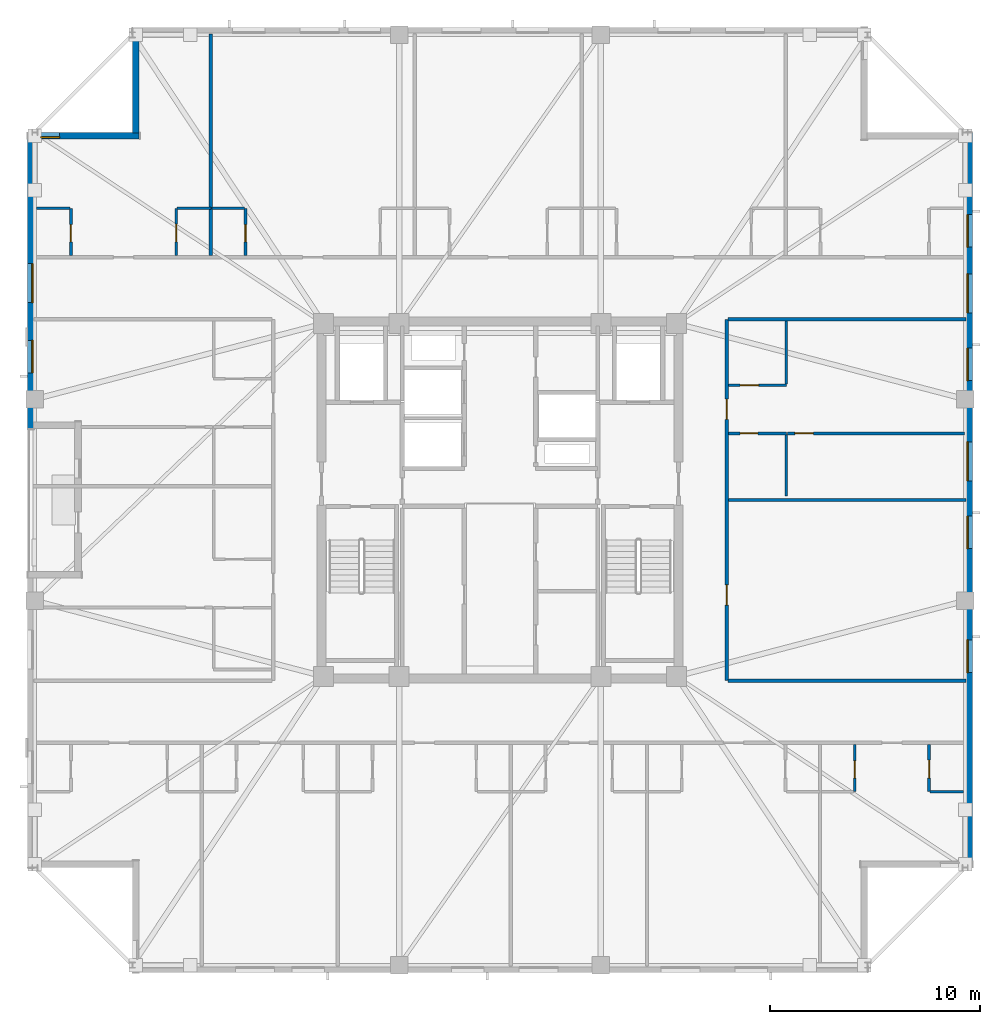
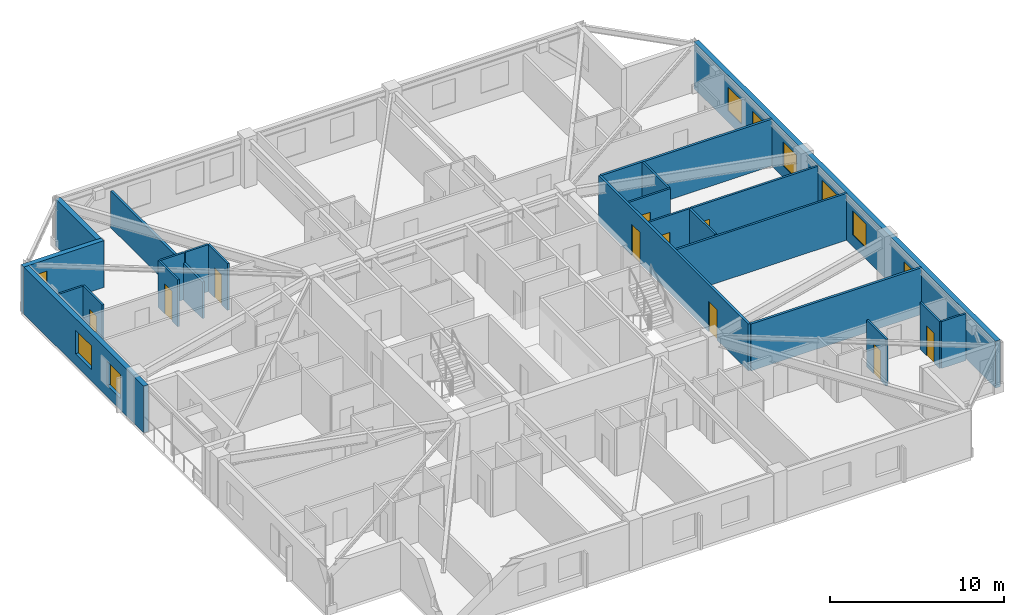
# One storey, part 10 of 17: 23 walls, 10 doors, 9 windows, 19 openings.
"""IFC4 building model written with IfcOpenShell, lengths in metres."""

from ifc_helpers import new_model, si_unit, direction, frame, frame_2d, origin, place, context, subcontext, project, spatial, rectangle, extrude, material, layer, layer_set, type_object, element, fill, save


model = new_model("IFC4")

# Units and contexts
model_context = context("Model", 3, precision=1e-05, world=origin(), true_north=direction((0.0, 1.0)))
body_context = subcontext(model_context, "Body", "Model", "MODEL_VIEW")
ifc_project = project(units=[si_unit("LENGTHUNIT", "METRE"), si_unit("AREAUNIT", "SQUARE_METRE"), si_unit("VOLUMEUNIT", "CUBIC_METRE"), si_unit("PLANEANGLEUNIT", "RADIAN"), si_unit("MASSUNIT", "GRAM", prefix="KILO")], contexts=[model_context])

# Site, building, storey
site_placement = place(None, origin())
site = spatial("IfcSite", under=ifc_project, at=site_placement, CompositionType="ELEMENT")
building_placement = place(site_placement, origin())
building = spatial("IfcBuilding", under=site, at=building_placement, Name="Cairnveth Concourse Tower", CompositionType="ELEMENT")
storey_placement = place(building_placement, frame((0.0, 0.0, 241.0)))
storey = spatial("IfcBuildingStorey", under=building, at=storey_placement, Name="L66", CompositionType="ELEMENT", Elevation=241.0)

# Wall, openings, doors
ifc_material_1 = material(Name="Gypsum Plasterboard Partition", Category="gypsum")
ifc_layer_1 = layer(ifc_material_1, 0.159912109375)
ifc_layer_set_1 = layer_set([ifc_layer_1], Name="Gypsum Plasterboard Partition")
wall_type_1 = type_object("IfcWallType", Name="ACOUSTIC PARTY WALL 180", PredefinedType="PARTITIONING", material=ifc_layer_set_1)
wall_1_placement = place(storey_placement, frame((62.800048828125, 30.39990234375, 0.0), z_axis=(0.0, 0.0, 1.0), x_axis=(0.0, 1.0, 0.0)))
wall_1 = element("IfcWall", 1, at=wall_1_placement, inside=storey, type_object=wall_type_1, Name="Interior Wall IW-L66-037", PredefinedType="PARTITIONING", context=body_context, shape_type="SweptSolid", body=[
    extrude(rectangle(XDim=17.2001953125, YDim=0.159912109375, at=frame_2d((8.60009765625, 0.0))), origin(), (0.0, 0.0, 1.0), 3.2900390625),
])
opening_1_placement = place(wall_1_placement, frame((3.60009765625, 0.0, 0.0)))
opening_1 = element("IfcOpeningElement", 2, at=opening_1_placement, cuts=wall_1, Name="Opening ID11", PredefinedType="OPENING", context=body_context, shape_type="SweptSolid", body=[
    extrude(rectangle(XDim=0.9599609375, YDim=2.1201171875, at=frame_2d((0.47998046875, 1.06005859375))), frame((0.0, 0.08984375, 0.0), z_axis=(0.0, -1.0, 0.0), x_axis=(1.0, 0.0, 0.0)), (0.0, 0.0, 1.0), 0.179931640625),
])
opening_2_placement = place(wall_1_placement, frame((12.43994140625, 0.0, 0.0)))
opening_2 = element("IfcOpeningElement", 3, at=opening_2_placement, cuts=wall_1, Name="Opening ID10", PredefinedType="OPENING", context=body_context, shape_type="SweptSolid", body=[
    extrude(rectangle(XDim=0.9599609375, YDim=2.179931640625, at=frame_2d((0.47998046875, 1.08984375))), frame((0.0, 0.08984375, 0.0), z_axis=(0.0, -1.0, 0.0), x_axis=(1.0, 0.0, 0.0)), (0.0, 0.0, 1.0), 0.179931640625),
])
ifc_material_2 = material(Name="Solid Core Hardwood Timber Leaf", Category="wood")
door_type_1 = type_object("IfcDoorType", Name="FLAT ENTRANCE DOOR 960X2150", OperationType="NOTDEFINED", PredefinedType="DOOR", material=ifc_material_2)
door_1_placement = place(opening_2_placement, origin())
door_1 = element("IfcDoor", 4, at=door_1_placement, inside=storey, type_object=door_type_1, Name="Apartment L66E1 Entrance Door", OperationType="SINGLE_SWING_RIGHT", OverallHeight=2.179931640625, OverallWidth=0.9599609375, PredefinedType="DOOR", context=body_context, shape_type="SweptSolid", body=[
    extrude(rectangle(XDim=0.9599609375, YDim=2.179931640625, at=frame_2d((0.47998046875, 1.08984375))), frame((0.0, 0.02490234375, 0.0), z_axis=(0.0, -1.0, 0.0), x_axis=(1.0, 0.0, 0.0)), (0.0, 0.0, 1.0), 0.050048828125),
])
fill(opening_2, door_1)
door_type_2 = type_object("IfcDoorType", Name="INTERIOR SINGLE DOOR 960X2150", OperationType="NOTDEFINED", PredefinedType="DOOR", material=ifc_material_2)
door_2_placement = place(opening_1_placement, origin())
door_2 = element("IfcDoor", 5, at=door_2_placement, inside=storey, type_object=door_type_2, Name="Interior Door DR-L66-056", OperationType="SINGLE_SWING_RIGHT", OverallHeight=2.1201171875, OverallWidth=0.9599609375, PredefinedType="DOOR", context=body_context, shape_type="SweptSolid", body=[
    extrude(rectangle(XDim=0.9599609375, YDim=2.1201171875, at=frame_2d((0.47998046875, 1.06005859375))), frame((0.0, 0.02490234375, 0.0), z_axis=(0.0, -1.0, 0.0), x_axis=(1.0, 0.0, 0.0)), (0.0, 0.0, 1.0), 0.050048828125),
])
fill(opening_1, door_2)

# Walls
for number, where, z_axis, x_axis, name in (
    (6, (62.864990234375, 30.39990234375, 0.0), (0.0, 0.0, 1.0), (1.0, 0.0, 0.0), "Interior Wall IW-L66-040"),
    (7, (62.864990234375, 47.60009765625, 0.0), (0.0, 0.0, 1.0), (1.0, 0.0, 0.0), "Interior Wall IW-L66-041"),
):
    element("IfcWall", number, at=place(storey_placement, frame(where, z_axis=z_axis, x_axis=x_axis)), inside=storey, type_object=wall_type_1, Name=name, PredefinedType="PARTITIONING", context=body_context, shape_type="SweptSolid", body=[
        extrude(rectangle(XDim=11.330078125, YDim=0.159912109375, at=frame_2d((5.6650390625, 0.0))), origin(), (0.0, 0.0, 1.0), 3.2900390625),
    ])
wall_2_placement = place(storey_placement, frame((38.23193359375, 50.637451171875, 0.0), z_axis=(0.0, 0.0, 1.0), x_axis=(0.0, 1.0, 0.0)))
element("IfcWall", 8, at=wall_2_placement, inside=storey, type_object=wall_type_1, Name="Interior Wall IW-L66-075", PredefinedType="PARTITIONING", context=body_context, shape_type="SweptSolid", body=[
    extrude(rectangle(XDim=10.5576171875, YDim=0.159912109375, at=frame_2d((5.27880859375, 0.0))), origin(), (0.0, 0.0, 1.0), 2.572998046875),
])
ifc_layer_2 = layer(ifc_material_1, 0.139892578125)
ifc_layer_set_2 = layer_set([ifc_layer_2], Name="Gypsum Plasterboard Partition")
wall_type_2 = type_object("IfcWallType", Name="GYPSUM STUD PARTITION 140", PredefinedType="PARTITIONING", material=ifc_layer_set_2)
wall_3_placement = place(storey_placement, frame((62.8798828125, 39.0, 0.0), z_axis=(0.0, 0.0, 1.0), x_axis=(1.0, 0.0, 0.0)))
element("IfcWall", 9, at=wall_3_placement, inside=storey, type_object=wall_type_2, Name="Interior Wall IW-L66-107", PredefinedType="PARTITIONING", context=body_context, shape_type="SweptSolid", body=[
    extrude(rectangle(XDim=11.315185546875, YDim=0.139892578125, at=frame_2d((5.65771484375, 0.0))), origin(), (0.0, 0.0, 1.0), 3.2900390625),
])

# Wall, opening, door
wall_4_placement = place(storey_placement, frame((65.679931640625, 42.169921875, 0.0), z_axis=(0.0, 0.0, 1.0), x_axis=(1.0, 0.0, 0.0)))
wall_4 = element("IfcWall", 10, at=wall_4_placement, inside=storey, type_object=wall_type_2, Name="Interior Wall IW-L66-112", PredefinedType="PARTITIONING", context=body_context, shape_type="SweptSolid", body=[
    extrude(rectangle(XDim=8.440185546875, YDim=0.139892578125, at=frame_2d((4.22021484375, 0.0))), origin(), (0.0, 0.0, 1.0), 3.2900390625),
])
opening_3_placement = place(wall_4_placement, frame((0.360107421875, 0.0, 0.0)))
opening_3 = element("IfcOpeningElement", 11, at=opening_3_placement, cuts=wall_4, Name="Opening ID18", PredefinedType="OPENING", context=body_context, shape_type="SweptSolid", body=[
    extrude(rectangle(XDim=0.8798828125, YDim=2.10009765625, at=frame_2d((0.43994140625, 1.050048828125))), frame((0.0, 0.079833984375, 0.0), z_axis=(0.0, -1.0, 0.0), x_axis=(1.0, 0.0, 0.0)), (0.0, 0.0, 1.0), 0.159912109375),
])
door_type_3 = type_object("IfcDoorType", Name="INTERIOR SINGLE DOOR 880X2100", OperationType="NOTDEFINED", PredefinedType="DOOR", material=ifc_material_2)
door_3_placement = place(opening_3_placement, origin())
door_3 = element("IfcDoor", 12, at=door_3_placement, inside=storey, type_object=door_type_3, Name="L66E1 Master Bedroom Door", OperationType="SINGLE_SWING_LEFT", OverallHeight=2.10009765625, OverallWidth=0.8798828125, PredefinedType="DOOR", context=body_context, shape_type="SweptSolid", body=[
    extrude(rectangle(XDim=0.8798828125, YDim=2.10009765625, at=frame_2d((0.43994140625, 1.050048828125))), frame((0.0, 0.02490234375, 0.0), z_axis=(0.0, -1.0, 0.0), x_axis=(1.0, 0.0, 0.0)), (0.0, 0.0, 1.0), 0.050048828125),
])
fill(opening_3, door_3)

ifc_layer_3 = layer(ifc_material_1, 0.1298828125)
ifc_layer_set_3 = layer_set([ifc_layer_3], Name="Gypsum Plasterboard Partition")
wall_type_3 = type_object("IfcWallType", Name="WET AREA PARTITION 140", PredefinedType="PLUMBINGWALL", material=ifc_layer_set_3)
wall_5_placement = place(storey_placement, frame((68.889892578125, 25.112548828125, 0.0), z_axis=(0.0, 0.0, 1.0), x_axis=(0.0, 1.0, 0.0)))
wall_5 = element("IfcWall", 13, at=wall_5_placement, inside=storey, type_object=wall_type_3, Name="Interior Wall IW-L66-067", PredefinedType="PLUMBINGWALL", context=body_context, shape_type="SweptSolid", body=[
    extrude(rectangle(XDim=2.25, YDim=0.1298828125, at=frame_2d((1.125, 0.0))), origin(), (0.0, 0.0, 1.0), 3.2900390625),
])
opening_4_placement = place(wall_5_placement, frame((0.64990234375, 0.0, 0.0)))
opening_4 = element("IfcOpeningElement", 14, at=opening_4_placement, cuts=wall_5, Name="Opening ID22", PredefinedType="OPENING", context=body_context, shape_type="SweptSolid", body=[
    extrude(rectangle(XDim=0.820068359375, YDim=2.10009765625, at=frame_2d((0.41015625, 1.050048828125))), frame((0.0, 0.074951171875, 0.0), z_axis=(0.0, -1.0, 0.0), x_axis=(1.0, 0.0, 0.0)), (0.0, 0.0, 1.0), 0.14990234375),
])
door_type_4 = type_object("IfcDoorType", Name="INTERIOR WC DOOR 820X2100", OperationType="NOTDEFINED", PredefinedType="DOOR", material=ifc_material_2)
door_4_placement = place(opening_4_placement, origin())
door_4 = element("IfcDoor", 15, at=door_4_placement, inside=storey, type_object=door_type_4, Name="L66STS6 Bathroom Door", OperationType="SINGLE_SWING_RIGHT", OverallHeight=2.10009765625, OverallWidth=0.820068359375, PredefinedType="DOOR", context=body_context, shape_type="SweptSolid", body=[
    extrude(rectangle(XDim=0.820068359375, YDim=2.10009765625, at=frame_2d((0.41015625, 1.050048828125))), frame((0.0, 0.02490234375, 0.0), z_axis=(0.0, -1.0, 0.0), x_axis=(1.0, 0.0, 0.0)), (0.0, 0.0, 1.0), 0.050048828125),
])
fill(opening_4, door_4)

wall_6_placement = place(storey_placement, frame((72.429931640625, 25.112548828125, 0.0), z_axis=(0.0, 0.0, 1.0), x_axis=(0.0, 1.0, 0.0)))
wall_6 = element("IfcWall", 16, at=wall_6_placement, inside=storey, type_object=wall_type_3, Name="Interior Wall IW-L66-069", PredefinedType="PLUMBINGWALL", context=body_context, shape_type="SweptSolid", body=[
    extrude(rectangle(XDim=2.25, YDim=0.1298828125, at=frame_2d((1.125, 0.0))), origin(), (0.0, 0.0, 1.0), 3.2900390625),
])
opening_5_placement = place(wall_6_placement, frame((0.64990234375, 0.0, 0.0)))
opening_5 = element("IfcOpeningElement", 17, at=opening_5_placement, cuts=wall_6, Name="Opening ID20", PredefinedType="OPENING", context=body_context, shape_type="SweptSolid", body=[
    extrude(rectangle(XDim=0.85009765625, YDim=2.10009765625, at=frame_2d((0.425048828125, 1.050048828125))), frame((0.0, 0.074951171875, 0.0), z_axis=(0.0, -1.0, 0.0), x_axis=(1.0, 0.0, 0.0)), (0.0, 0.0, 1.0), 0.14990234375),
])
door_type_5 = type_object("IfcDoorType", Name="INTERIOR SINGLE DOOR 850X2100", OperationType="NOTDEFINED", PredefinedType="DOOR", material=ifc_material_2)
door_5_placement = place(opening_5_placement, origin())
door_5 = element("IfcDoor", 18, at=door_5_placement, inside=storey, type_object=door_type_5, Name="L66STS6 Kitchen Door", OperationType="SINGLE_SWING_LEFT", OverallHeight=2.10009765625, OverallWidth=0.85009765625, PredefinedType="DOOR", context=body_context, shape_type="SweptSolid", body=[
    extrude(rectangle(XDim=0.85009765625, YDim=2.10009765625, at=frame_2d((0.425048828125, 1.050048828125))), frame((0.0, 0.02490234375, 0.0), z_axis=(0.0, -1.0, 0.0), x_axis=(1.0, 0.0, 0.0)), (0.0, 0.0, 1.0), 0.050048828125),
])
fill(opening_5, door_5)

# Wall
wall_7_placement = place(storey_placement, frame((72.47998046875, 25.112548828125, 0.0), z_axis=(0.0, 0.0, 1.0), x_axis=(1.0, 0.0, 0.0)))
element("IfcWall", 19, at=wall_7_placement, inside=storey, type_object=wall_type_3, Name="Interior Wall IW-L66-070", PredefinedType="PLUMBINGWALL", context=body_context, shape_type="SweptSolid", body=[
    extrude(rectangle(XDim=1.60009765625, YDim=0.1298828125, at=frame_2d((0.800048828125, 0.0))), origin(), (0.0, 0.0, 1.0), 3.2900390625),
])

# Wall, opening, door
wall_8_placement = place(storey_placement, frame((31.570068359375, 50.637451171875, 0.0), z_axis=(0.0, 0.0, 1.0), x_axis=(0.0, 1.0, 0.0)))
wall_8 = element("IfcWall", 20, at=wall_8_placement, inside=storey, type_object=wall_type_3, Name="Interior Wall IW-L66-071", PredefinedType="PLUMBINGWALL", context=body_context, shape_type="SweptSolid", body=[
    extrude(rectangle(XDim=2.25, YDim=0.1298828125, at=frame_2d((1.125, 0.0))), origin(), (0.0, 0.0, 1.0), 3.2900390625),
])
opening_6_placement = place(wall_8_placement, frame((0.64990234375, 0.0, 0.0)))
opening_6 = element("IfcOpeningElement", 21, at=opening_6_placement, cuts=wall_8, Name="Opening ID22", PredefinedType="OPENING", context=body_context, shape_type="SweptSolid", body=[
    extrude(rectangle(XDim=0.820068359375, YDim=2.10009765625, at=frame_2d((0.41015625, 1.050048828125))), frame((0.0, 0.074951171875, 0.0), z_axis=(0.0, -1.0, 0.0), x_axis=(1.0, 0.0, 0.0)), (0.0, 0.0, 1.0), 0.14990234375),
])
door_6_placement = place(opening_6_placement, origin())
door_6 = element("IfcDoor", 22, at=door_6_placement, inside=storey, type_object=door_type_4, Name="L66STN1 Bathroom Door", OperationType="SINGLE_SWING_LEFT", OverallHeight=2.10009765625, OverallWidth=0.820068359375, PredefinedType="DOOR", context=body_context, shape_type="SweptSolid", body=[
    extrude(rectangle(XDim=0.820068359375, YDim=2.10009765625, at=frame_2d((0.41015625, 1.050048828125))), frame((0.0, 0.02490234375, 0.0), z_axis=(0.0, -1.0, 0.0), x_axis=(1.0, 0.0, 0.0)), (0.0, 0.0, 1.0), 0.050048828125),
])
fill(opening_6, door_6)

# Wall
wall_9_placement = place(storey_placement, frame((29.919921875, 52.887451171875, 0.0), z_axis=(0.0, 0.0, 1.0), x_axis=(1.0, 0.0, 0.0)))
element("IfcWall", 23, at=wall_9_placement, inside=storey, type_object=wall_type_3, Name="Interior Wall IW-L66-072", PredefinedType="PLUMBINGWALL", context=body_context, shape_type="SweptSolid", body=[
    extrude(rectangle(XDim=1.60009765625, YDim=0.1298828125, at=frame_2d((0.800048828125, 0.0))), origin(), (0.0, 0.0, 1.0), 3.2900390625),
])

# Wall, opening, door
wall_10_placement = place(storey_placement, frame((36.58203125, 50.637451171875, 0.0), z_axis=(0.0, 0.0, 1.0), x_axis=(0.0, 1.0, 0.0)))
wall_10 = element("IfcWall", 24, at=wall_10_placement, inside=storey, type_object=wall_type_3, Name="Interior Wall IW-L66-073", PredefinedType="PLUMBINGWALL", context=body_context, shape_type="SweptSolid", body=[
    extrude(rectangle(XDim=2.25, YDim=0.1298828125, at=frame_2d((1.125, 0.0))), origin(), (0.0, 0.0, 1.0), 3.2900390625),
])
opening_7_placement = place(wall_10_placement, frame((0.64990234375, 0.0, 0.0)))
opening_7 = element("IfcOpeningElement", 25, at=opening_7_placement, cuts=wall_10, Name="Opening ID20", PredefinedType="OPENING", context=body_context, shape_type="SweptSolid", body=[
    extrude(rectangle(XDim=0.85009765625, YDim=2.10009765625, at=frame_2d((0.425048828125, 1.050048828125))), frame((0.0, 0.074951171875, 0.0), z_axis=(0.0, -1.0, 0.0), x_axis=(1.0, 0.0, 0.0)), (0.0, 0.0, 1.0), 0.14990234375),
])
door_7_placement = place(opening_7_placement, origin())
door_7 = element("IfcDoor", 26, at=door_7_placement, inside=storey, type_object=door_type_5, Name="L66STN1 Kitchen Door", OperationType="SINGLE_SWING_RIGHT", OverallHeight=2.10009765625, OverallWidth=0.85009765625, PredefinedType="DOOR", context=body_context, shape_type="SweptSolid", body=[
    extrude(rectangle(XDim=0.85009765625, YDim=2.10009765625, at=frame_2d((0.425048828125, 1.050048828125))), frame((0.0, 0.02490234375, 0.0), z_axis=(0.0, -1.0, 0.0), x_axis=(1.0, 0.0, 0.0)), (0.0, 0.0, 1.0), 0.050048828125),
])
fill(opening_7, door_7)

# Wall
wall_11_placement = place(storey_placement, frame((36.632080078125, 52.887451171875, 0.0), z_axis=(0.0, 0.0, 1.0), x_axis=(1.0, 0.0, 0.0)))
element("IfcWall", 27, at=wall_11_placement, inside=storey, type_object=wall_type_3, Name="Interior Wall IW-L66-074", PredefinedType="PLUMBINGWALL", context=body_context, shape_type="SweptSolid", body=[
    extrude(rectangle(XDim=1.599853515625, YDim=0.1298828125, at=frame_2d((0.7998046875, 0.0))), origin(), (0.0, 0.0, 1.0), 3.2900390625),
])

# Wall, opening, door
wall_12_placement = place(storey_placement, frame((39.882080078125, 50.637451171875, 0.0), z_axis=(0.0, 0.0, 1.0), x_axis=(0.0, 1.0, 0.0)))
wall_12 = element("IfcWall", 28, at=wall_12_placement, inside=storey, type_object=wall_type_3, Name="Interior Wall IW-L66-076", PredefinedType="PLUMBINGWALL", context=body_context, shape_type="SweptSolid", body=[
    extrude(rectangle(XDim=2.25, YDim=0.1298828125, at=frame_2d((1.125, 0.0))), origin(), (0.0, 0.0, 1.0), 3.2900390625),
])
opening_8_placement = place(wall_12_placement, frame((0.64990234375, 0.0, 0.0)))
opening_8 = element("IfcOpeningElement", 29, at=opening_8_placement, cuts=wall_12, Name="Opening ID22", PredefinedType="OPENING", context=body_context, shape_type="SweptSolid", body=[
    extrude(rectangle(XDim=0.820068359375, YDim=2.10009765625, at=frame_2d((0.41015625, 1.050048828125))), frame((0.0, 0.074951171875, 0.0), z_axis=(0.0, -1.0, 0.0), x_axis=(1.0, 0.0, 0.0)), (0.0, 0.0, 1.0), 0.14990234375),
])
door_8_placement = place(opening_8_placement, origin())
door_8 = element("IfcDoor", 30, at=door_8_placement, inside=storey, type_object=door_type_4, Name="L66STN2 Bathroom Door", OperationType="SINGLE_SWING_RIGHT", OverallHeight=2.10009765625, OverallWidth=0.820068359375, PredefinedType="DOOR", context=body_context, shape_type="SweptSolid", body=[
    extrude(rectangle(XDim=0.820068359375, YDim=2.10009765625, at=frame_2d((0.41015625, 1.050048828125))), frame((0.0, 0.02490234375, 0.0), z_axis=(0.0, -1.0, 0.0), x_axis=(1.0, 0.0, 0.0)), (0.0, 0.0, 1.0), 0.050048828125),
])
fill(opening_8, door_8)

# Wall
wall_13_placement = place(storey_placement, frame((38.297119140625, 52.887451171875, 0.0), z_axis=(0.0, 0.0, 1.0), x_axis=(1.0, 0.0, 0.0)))
element("IfcWall", 31, at=wall_13_placement, inside=storey, type_object=wall_type_3, Name="Interior Wall IW-L66-077", PredefinedType="PLUMBINGWALL", context=body_context, shape_type="SweptSolid", body=[
    extrude(rectangle(XDim=1.534912109375, YDim=0.1298828125, at=frame_2d((0.767578125, 0.0))), origin(), (0.0, 0.0, 1.0), 3.2900390625),
])

# Wall, opening, door
wall_14_placement = place(storey_placement, frame((62.8798828125, 42.169921875, 0.0), z_axis=(0.0, 0.0, 1.0), x_axis=(1.0, 0.0, 0.0)))
wall_14 = element("IfcWall", 32, at=wall_14_placement, inside=storey, type_object=wall_type_3, Name="Interior Wall IW-L66-108", PredefinedType="PLUMBINGWALL", context=body_context, shape_type="SweptSolid", body=[
    extrude(rectangle(XDim=2.75, YDim=0.1298828125, at=frame_2d((1.375, 0.0))), origin(), (0.0, 0.0, 1.0), 3.2900390625),
])
opening_9_placement = place(wall_14_placement, frame((0.550048828125, 0.0, 0.0)))
opening_9 = element("IfcOpeningElement", 33, at=opening_9_placement, cuts=wall_14, Name="Opening ID21", PredefinedType="OPENING", context=body_context, shape_type="SweptSolid", body=[
    extrude(rectangle(XDim=0.85009765625, YDim=2.080078125, at=frame_2d((0.425048828125, 1.0400390625))), frame((0.0, 0.074951171875, 0.0), z_axis=(0.0, -1.0, 0.0), x_axis=(1.0, 0.0, 0.0)), (0.0, 0.0, 1.0), 0.14990234375),
])
door_type_6 = type_object("IfcDoorType", Name="INTERIOR WC DOOR 850X2100", OperationType="NOTDEFINED", PredefinedType="DOOR", material=ifc_material_2)
door_9_placement = place(opening_9_placement, origin())
door_9 = element("IfcDoor", 34, at=door_9_placement, inside=storey, type_object=door_type_6, Name="L66E1 Bathroom Door", OperationType="SINGLE_SWING_LEFT", OverallHeight=2.080078125, OverallWidth=0.85009765625, PredefinedType="DOOR", context=body_context, shape_type="SweptSolid", body=[
    extrude(rectangle(XDim=0.85009765625, YDim=2.080078125, at=frame_2d((0.425048828125, 1.0400390625))), frame((0.0, 0.02490234375, 0.0), z_axis=(0.0, -1.0, 0.0), x_axis=(1.0, 0.0, 0.0)), (0.0, 0.0, 1.0), 0.050048828125),
])
fill(opening_9, door_9)

# Wall
wall_15_placement = place(storey_placement, frame((65.6298828125, 39.179931640625, 0.0), z_axis=(0.0, 0.0, 1.0), x_axis=(0.0, 1.0, 0.0)))
element("IfcWall", 35, at=wall_15_placement, inside=storey, type_object=wall_type_3, Name="Interior Wall IW-L66-109", PredefinedType="PLUMBINGWALL", context=body_context, shape_type="SweptSolid", body=[
    extrude(rectangle(XDim=2.940185546875, YDim=0.1298828125, at=frame_2d((1.47021484375, 0.0))), origin(), (0.0, 0.0, 1.0), 3.2900390625),
])

# Wall, opening, door
wall_16_placement = place(storey_placement, frame((62.8798828125, 44.469970703125, 0.0), z_axis=(0.0, 0.0, 1.0), x_axis=(1.0, 0.0, 0.0)))
wall_16 = element("IfcWall", 36, at=wall_16_placement, inside=storey, type_object=wall_type_3, Name="Interior Wall IW-L66-110", PredefinedType="PLUMBINGWALL", context=body_context, shape_type="SweptSolid", body=[
    extrude(rectangle(XDim=2.75, YDim=0.1298828125, at=frame_2d((1.375, 0.0))), origin(), (0.0, 0.0, 1.0), 3.2900390625),
])
opening_10_placement = place(wall_16_placement, frame((0.550048828125, 0.0, 0.0)))
opening_10 = element("IfcOpeningElement", 37, at=opening_10_placement, cuts=wall_16, Name="Opening ID18", PredefinedType="OPENING", context=body_context, shape_type="SweptSolid", body=[
    extrude(rectangle(XDim=0.8798828125, YDim=2.10009765625, at=frame_2d((0.43994140625, 1.050048828125))), frame((0.0, 0.074951171875, 0.0), z_axis=(0.0, -1.0, 0.0), x_axis=(1.0, 0.0, 0.0)), (0.0, 0.0, 1.0), 0.14990234375),
])
door_10_placement = place(opening_10_placement, origin())
door_10 = element("IfcDoor", 38, at=door_10_placement, inside=storey, type_object=door_type_3, Name="L66E1 Kitchen Door", OperationType="SINGLE_SWING_RIGHT", OverallHeight=2.10009765625, OverallWidth=0.8798828125, PredefinedType="DOOR", context=body_context, shape_type="SweptSolid", body=[
    extrude(rectangle(XDim=0.8798828125, YDim=2.10009765625, at=frame_2d((0.43994140625, 1.050048828125))), frame((0.0, 0.02490234375, 0.0), z_axis=(0.0, -1.0, 0.0), x_axis=(1.0, 0.0, 0.0)), (0.0, 0.0, 1.0), 0.050048828125),
])
fill(opening_10, door_10)

# Wall
wall_17_placement = place(storey_placement, frame((65.6298828125, 44.52001953125, 0.0), z_axis=(0.0, 0.0, 1.0), x_axis=(0.0, 1.0, 0.0)))
element("IfcWall", 39, at=wall_17_placement, inside=storey, type_object=wall_type_3, Name="Interior Wall IW-L66-111", PredefinedType="PLUMBINGWALL", context=body_context, shape_type="SweptSolid", body=[
    extrude(rectangle(XDim=3.014892578125, YDim=0.1298828125, at=frame_2d((1.50732421875, 0.0))), origin(), (0.0, 0.0, 1.0), 3.2900390625),
])

# Wall, openings, windows
ifc_material_3 = material(Name="Melbourne Buff Fired Clay Brick Masonry", Category="masonry")
ifc_layer_4 = layer(ifc_material_3, 0.320068359375)
ifc_layer_set_4 = layer_set([ifc_layer_4], Name="Melbourne Buff Fired Clay Brick Masonry")
wall_type_4 = type_object("IfcWallType", Name="ZONE 3 BRICK PIER SPANDREL WALL 320", PredefinedType="SOLIDWALL", material=ifc_layer_set_4)
wall_18_placement = place(storey_placement, frame((29.659912109375, 42.39990234375, 0.0), z_axis=(0.0, 0.0, 1.0), x_axis=(0.0, 1.0, 0.0)))
wall_18 = element("IfcWall", 40, at=wall_18_placement, inside=storey, type_object=wall_type_4, Name="Exterior Wall EW-L66-S00", PredefinedType="SOLIDWALL", context=body_context, shape_type="SweptSolid", body=[
    extrude(rectangle(XDim=13.802001953125, YDim=0.320068359375, at=frame_2d((6.90087890625, 0.0))), origin(), (0.0, 0.0, 1.0), 3.2900390625),
])
opening_11_placement = place(wall_18_placement, frame((2.650390625, 0.0, 0.800048828125)))
opening_11 = element("IfcOpeningElement", 41, at=opening_11_placement, cuts=wall_18, Name="Opening W07", PredefinedType="OPENING", context=body_context, shape_type="SweptSolid", body=[
    extrude(rectangle(XDim=1.550048828125, YDim=1.677978515625, at=frame_2d((0.77490234375, 0.8388671875))), frame((0.0, 0.169921875, 0.0), z_axis=(0.0, -1.0, 0.0), x_axis=(1.0, 0.0, 0.0)), (0.0, 0.0, 1.0), 0.340087890625),
])
opening_12_placement = place(wall_18_placement, frame((6.00146484375, 0.0, 0.800048828125)))
opening_12 = element("IfcOpeningElement", 42, at=opening_12_placement, cuts=wall_18, Name="Opening W08", PredefinedType="OPENING", context=body_context, shape_type="SweptSolid", body=[
    extrude(rectangle(XDim=1.85009765625, YDim=1.677978515625, at=frame_2d((0.925048828125, 0.8388671875))), frame((0.0, 0.169921875, 0.0), z_axis=(0.0, -1.0, 0.0), x_axis=(1.0, 0.0, 0.0)), (0.0, 0.0, 1.0), 0.340087890625),
])
ifc_material_4 = material(Name="Double Glazed Low-E Clear Glass", Category="glass")
window_type_1 = type_object("IfcWindowType", Name="DEEP-SET APARTMENT LIVING WINDOW 1850X1850", PartitioningType="DOUBLE_PANEL_VERTICAL", PredefinedType="WINDOW", material=ifc_material_4)
window_1_placement = place(opening_12_placement, origin())
window_1 = element("IfcWindow", 43, at=window_1_placement, inside=storey, type_object=window_type_1, Name="Gothic Lancet Window L66-0-2", OverallHeight=1.677978515625, OverallWidth=1.85009765625, PartitioningType="SINGLE_PANEL", PredefinedType="WINDOW", context=body_context, shape_type="SweptSolid", body=[
    extrude(rectangle(XDim=1.85009765625, YDim=1.677978515625, at=frame_2d((0.925048828125, 0.8388671875))), frame((0.0, -0.050048828125, 0.0), z_axis=(0.0, -1.0, 0.0), x_axis=(1.0, 0.0, 0.0)), (0.0, 0.0, 1.0), 0.06005859375),
])
fill(opening_12, window_1)
window_type_2 = type_object("IfcWindowType", Name="DEEP-SET APARTMENT WINDOW 1550X1800", PartitioningType="DOUBLE_PANEL_VERTICAL", PredefinedType="WINDOW", material=ifc_material_4)
window_2_placement = place(opening_11_placement, origin())
window_2 = element("IfcWindow", 44, at=window_2_placement, inside=storey, type_object=window_type_2, Name="Gothic Lancet Window L66-0-1", OverallHeight=1.677978515625, OverallWidth=1.550048828125, PartitioningType="SINGLE_PANEL", PredefinedType="WINDOW", context=body_context, shape_type="SweptSolid", body=[
    extrude(rectangle(XDim=1.550048828125, YDim=1.677978515625, at=frame_2d((0.77490234375, 0.8388671875))), frame((0.0, -0.050048828125, 0.0), z_axis=(0.0, -1.0, 0.0), x_axis=(1.0, 0.0, 0.0)), (0.0, 0.0, 1.0), 0.06005859375),
])
fill(opening_11, window_2)

# Wall, opening, window
wall_19_placement = place(storey_placement, frame((29.5, 56.340087890625, 0.0), z_axis=(0.0, 0.0, 1.0), x_axis=(1.0, 0.0, 0.0)))
wall_19 = element("IfcWall", 45, at=wall_19_placement, inside=storey, type_object=wall_type_4, Name="Exterior Wall EW-L66-S01", PredefinedType="SOLIDWALL", context=body_context, shape_type="SweptSolid", body=[
    extrude(rectangle(XDim=5.320068359375, YDim=0.320068359375, at=frame_2d((2.66015625, 0.0))), origin(), (0.0, 0.0, 1.0), 3.2900390625),
])
opening_13_placement = place(wall_19_placement, frame((0.6298828125, 0.0, 0.800048828125)))
opening_13 = element("IfcOpeningElement", 46, at=opening_13_placement, cuts=wall_19, Name="Opening W13", PredefinedType="OPENING", context=body_context, shape_type="SweptSolid", body=[
    extrude(rectangle(XDim=0.89990234375, YDim=1.677978515625, at=frame_2d((0.449951171875, 0.8388671875))), frame((0.0, 0.169921875, 0.0), z_axis=(0.0, -1.0, 0.0), x_axis=(1.0, 0.0, 0.0)), (0.0, 0.0, 1.0), 0.340087890625),
])
window_type_3 = type_object("IfcWindowType", Name="DEEP-SET BEDROOM LANCET WINDOW 900X1750", PartitioningType="DOUBLE_PANEL_VERTICAL", PredefinedType="WINDOW", material=ifc_material_4)
window_3_placement = place(opening_13_placement, origin())
window_3 = element("IfcWindow", 47, at=window_3_placement, inside=storey, type_object=window_type_3, Name="Dwelling Lancet Window L66-DW3", OverallHeight=1.677978515625, OverallWidth=0.89990234375, PartitioningType="SINGLE_PANEL", PredefinedType="WINDOW", context=body_context, shape_type="SweptSolid", body=[
    extrude(rectangle(XDim=0.89990234375, YDim=1.677978515625, at=frame_2d((0.449951171875, 0.8388671875))), frame((0.0, -0.0400390625, 0.0), z_axis=(0.0, -1.0, 0.0), x_axis=(1.0, 0.0, 0.0)), (0.0, 0.0, 1.0), 0.06005859375),
])
fill(opening_13, window_3)

# Wall
wall_20_placement = place(storey_placement, frame((34.659912109375, 56.47802734375, 0.0), z_axis=(0.0, 0.0, 1.0), x_axis=(0.0, 1.0, 0.0)))
element("IfcWall", 48, at=wall_20_placement, inside=storey, type_object=wall_type_4, Name="Exterior Wall EW-L66-S02", PredefinedType="SOLIDWALL", context=body_context, shape_type="SweptSolid", body=[
    extrude(rectangle(XDim=4.723876953125, YDim=0.320068359375, at=frame_2d((2.36181640625, 0.0))), origin(), (0.0, 0.0, 1.0), 3.2900390625),
])

# Wall, openings, windows
wall_21_placement = place(storey_placement, frame((74.340087890625, 56.5, 0.0), z_axis=(0.0, 0.0, 1.0), x_axis=(0.0, -1.0, 0.0)))
wall_21 = element("IfcWall", 49, at=wall_21_placement, inside=storey, type_object=wall_type_4, Name="Exterior Wall EW-L66-S06", PredefinedType="SOLIDWALL", context=body_context, shape_type="SweptSolid", body=[
    extrude(rectangle(XDim=34.701904296875, YDim=0.320068359375, at=frame_2d((17.35107421875, 0.0))), origin(), (0.0, 0.0, 1.0), 3.2900390625),
])
opening_14_placement = place(wall_21_placement, frame((3.91259765625, 0.0, 0.800048828125)))
opening_14 = element("IfcOpeningElement", 50, at=opening_14_placement, cuts=wall_21, Name="Opening W07", PredefinedType="OPENING", context=body_context, shape_type="SweptSolid", body=[
    extrude(rectangle(XDim=1.550048828125, YDim=1.677978515625, at=frame_2d((0.77490234375, 0.8388671875))), frame((0.0, 0.169921875, 0.0), z_axis=(0.0, -1.0, 0.0), x_axis=(1.0, 0.0, 0.0)), (0.0, 0.0, 1.0), 0.340087890625),
])
opening_15_placement = place(wall_21_placement, frame((6.73779296875, 0.0, 0.800048828125)))
opening_15 = element("IfcOpeningElement", 51, at=opening_15_placement, cuts=wall_21, Name="Opening W08", PredefinedType="OPENING", context=body_context, shape_type="SweptSolid", body=[
    extrude(rectangle(XDim=1.85009765625, YDim=1.677978515625, at=frame_2d((0.925048828125, 0.8388671875))), frame((0.0, 0.169921875, 0.0), z_axis=(0.0, -1.0, 0.0), x_axis=(1.0, 0.0, 0.0)), (0.0, 0.0, 1.0), 0.340087890625),
])
opening_16_placement = place(wall_21_placement, frame((10.26318359375, 0.0, 0.800048828125)))
opening_16 = element("IfcOpeningElement", 52, at=opening_16_placement, cuts=wall_21, Name="Opening W07", PredefinedType="OPENING", context=body_context, shape_type="SweptSolid", body=[
    extrude(rectangle(XDim=1.550048828125, YDim=1.677978515625, at=frame_2d((0.77490234375, 0.8388671875))), frame((0.0, 0.169921875, 0.0), z_axis=(0.0, -1.0, 0.0), x_axis=(1.0, 0.0, 0.0)), (0.0, 0.0, 1.0), 0.340087890625),
])
opening_17_placement = place(wall_21_placement, frame((14.73828125, 0.0, 0.800048828125)))
opening_17 = element("IfcOpeningElement", 53, at=opening_17_placement, cuts=wall_21, Name="Opening W08", PredefinedType="OPENING", context=body_context, shape_type="SweptSolid", body=[
    extrude(rectangle(XDim=1.85009765625, YDim=1.677978515625, at=frame_2d((0.925048828125, 0.8388671875))), frame((0.0, 0.169921875, 0.0), z_axis=(0.0, -1.0, 0.0), x_axis=(1.0, 0.0, 0.0)), (0.0, 0.0, 1.0), 0.340087890625),
])
opening_18_placement = place(wall_21_placement, frame((18.263671875, 0.0, 0.800048828125)))
opening_18 = element("IfcOpeningElement", 54, at=opening_18_placement, cuts=wall_21, Name="Opening W07", PredefinedType="OPENING", context=body_context, shape_type="SweptSolid", body=[
    extrude(rectangle(XDim=1.550048828125, YDim=1.677978515625, at=frame_2d((0.77490234375, 0.8388671875))), frame((0.0, 0.169921875, 0.0), z_axis=(0.0, -1.0, 0.0), x_axis=(1.0, 0.0, 0.0)), (0.0, 0.0, 1.0), 0.340087890625),
])
opening_19_placement = place(wall_21_placement, frame((24.1640625, 0.0, 0.800048828125)))
opening_19 = element("IfcOpeningElement", 55, at=opening_19_placement, cuts=wall_21, Name="Opening W07", PredefinedType="OPENING", context=body_context, shape_type="SweptSolid", body=[
    extrude(rectangle(XDim=1.550048828125, YDim=1.677978515625, at=frame_2d((0.77490234375, 0.8388671875))), frame((0.0, 0.169921875, 0.0), z_axis=(0.0, -1.0, 0.0), x_axis=(1.0, 0.0, 0.0)), (0.0, 0.0, 1.0), 0.340087890625),
])
window_4_placement = place(opening_15_placement, origin())
window_4 = element("IfcWindow", 56, at=window_4_placement, inside=storey, type_object=window_type_1, Name="Gothic Lancet Window L66-6-2", OverallHeight=1.677978515625, OverallWidth=1.85009765625, PartitioningType="SINGLE_PANEL", PredefinedType="WINDOW", context=body_context, shape_type="SweptSolid", body=[
    extrude(rectangle(XDim=1.85009765625, YDim=1.677978515625, at=frame_2d((0.925048828125, 0.8388671875))), frame((0.0, -0.050048828125, 0.0), z_axis=(0.0, -1.0, 0.0), x_axis=(1.0, 0.0, 0.0)), (0.0, 0.0, 1.0), 0.06005859375),
])
fill(opening_15, window_4)
window_5_placement = place(opening_17_placement, origin())
window_5 = element("IfcWindow", 57, at=window_5_placement, inside=storey, type_object=window_type_1, Name="Gothic Lancet Window L66-6-4", OverallHeight=1.677978515625, OverallWidth=1.85009765625, PartitioningType="SINGLE_PANEL", PredefinedType="WINDOW", context=body_context, shape_type="SweptSolid", body=[
    extrude(rectangle(XDim=1.85009765625, YDim=1.677978515625, at=frame_2d((0.925048828125, 0.8388671875))), frame((0.0, -0.050048828125, 0.0), z_axis=(0.0, -1.0, 0.0), x_axis=(1.0, 0.0, 0.0)), (0.0, 0.0, 1.0), 0.06005859375),
])
fill(opening_17, window_5)
window_6_placement = place(opening_14_placement, origin())
window_6 = element("IfcWindow", 58, at=window_6_placement, inside=storey, type_object=window_type_2, Name="Gothic Lancet Window L66-6-1", OverallHeight=1.677978515625, OverallWidth=1.550048828125, PartitioningType="SINGLE_PANEL", PredefinedType="WINDOW", context=body_context, shape_type="SweptSolid", body=[
    extrude(rectangle(XDim=1.550048828125, YDim=1.677978515625, at=frame_2d((0.77490234375, 0.8388671875))), frame((0.0, -0.050048828125, 0.0), z_axis=(0.0, -1.0, 0.0), x_axis=(1.0, 0.0, 0.0)), (0.0, 0.0, 1.0), 0.06005859375),
])
fill(opening_14, window_6)
window_7_placement = place(opening_16_placement, origin())
window_7 = element("IfcWindow", 59, at=window_7_placement, inside=storey, type_object=window_type_2, Name="Gothic Lancet Window L66-6-3", OverallHeight=1.677978515625, OverallWidth=1.550048828125, PartitioningType="SINGLE_PANEL", PredefinedType="WINDOW", context=body_context, shape_type="SweptSolid", body=[
    extrude(rectangle(XDim=1.550048828125, YDim=1.677978515625, at=frame_2d((0.77490234375, 0.8388671875))), frame((0.0, -0.050048828125, 0.0), z_axis=(0.0, -1.0, 0.0), x_axis=(1.0, 0.0, 0.0)), (0.0, 0.0, 1.0), 0.06005859375),
])
fill(opening_16, window_7)
window_8_placement = place(opening_18_placement, origin())
window_8 = element("IfcWindow", 60, at=window_8_placement, inside=storey, type_object=window_type_2, Name="Gothic Lancet Window L66-6-5", OverallHeight=1.677978515625, OverallWidth=1.550048828125, PartitioningType="SINGLE_PANEL", PredefinedType="WINDOW", context=body_context, shape_type="SweptSolid", body=[
    extrude(rectangle(XDim=1.550048828125, YDim=1.677978515625, at=frame_2d((0.77490234375, 0.8388671875))), frame((0.0, -0.050048828125, 0.0), z_axis=(0.0, -1.0, 0.0), x_axis=(1.0, 0.0, 0.0)), (0.0, 0.0, 1.0), 0.06005859375),
])
fill(opening_18, window_8)
window_9_placement = place(opening_19_placement, origin())
window_9 = element("IfcWindow", 61, at=window_9_placement, inside=storey, type_object=window_type_2, Name="Gothic Lancet Window L66-6-7", OverallHeight=1.677978515625, OverallWidth=1.550048828125, PartitioningType="SINGLE_PANEL", PredefinedType="WINDOW", context=body_context, shape_type="SweptSolid", body=[
    extrude(rectangle(XDim=1.550048828125, YDim=1.677978515625, at=frame_2d((0.77490234375, 0.8388671875))), frame((0.0, -0.050048828125, 0.0), z_axis=(0.0, -1.0, 0.0), x_axis=(1.0, 0.0, 0.0)), (0.0, 0.0, 1.0), 0.06005859375),
])
fill(opening_19, window_9)

save(model, "model.ifc")
